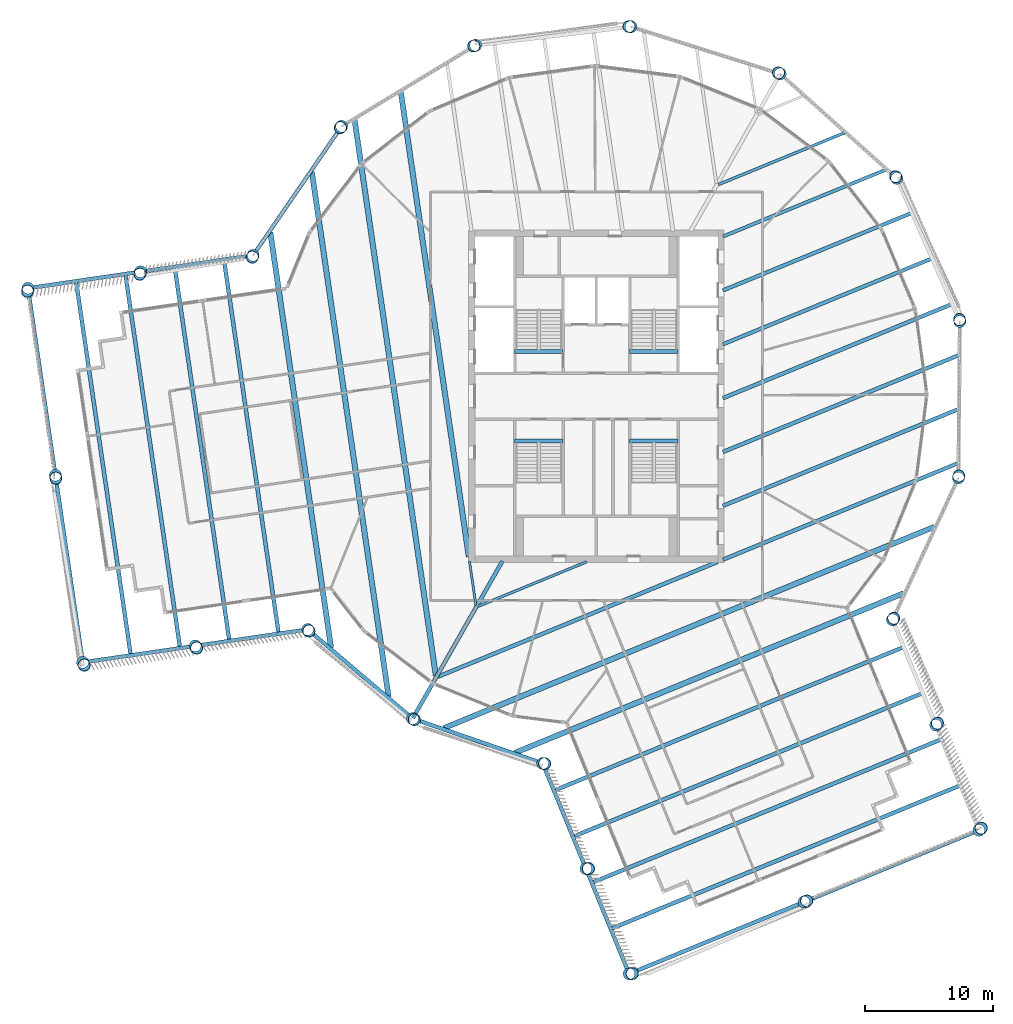
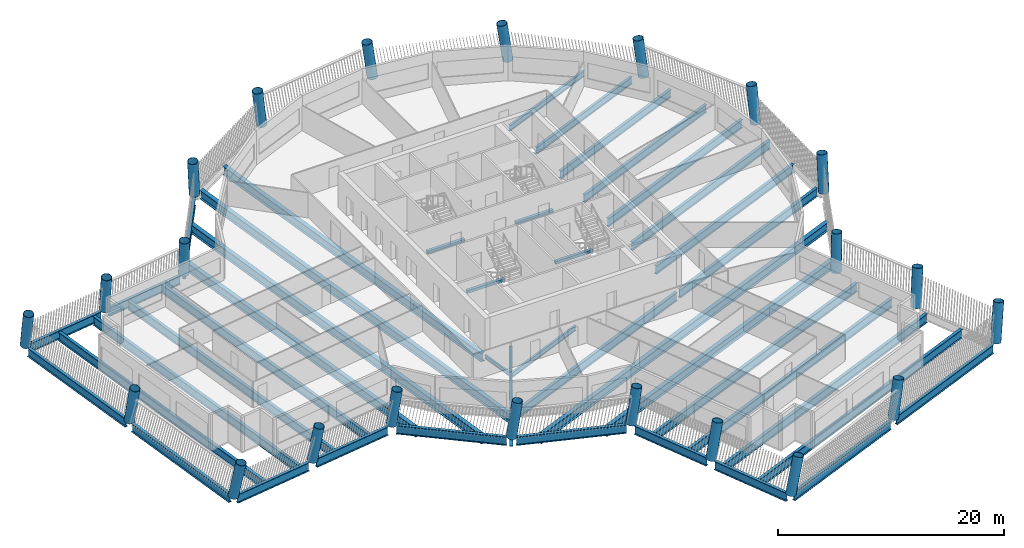
# One storey, part 1 of 15: 43 beams, 22 columns.
"""IFC4 building model written with IfcOpenShell, lengths in metres."""

from ifc_helpers import new_model, si_unit, direction, frame, origin, origin_2d, place, context, subcontext, project, spatial, rectangle, hollow_circle, i_section, extrude, material, material_profile, profile_set, type_object, element, save


model = new_model("IFC4")

# Units and contexts
model_context = context("Model", 3, precision=1e-05, world=origin(), true_north=direction((0.0, 1.0)))
body_context = subcontext(model_context, "Body", "Model", "MODEL_VIEW")
ifc_project = project(units=[si_unit("LENGTHUNIT", "METRE"), si_unit("AREAUNIT", "SQUARE_METRE"), si_unit("VOLUMEUNIT", "CUBIC_METRE"), si_unit("PLANEANGLEUNIT", "RADIAN"), si_unit("MASSUNIT", "GRAM", prefix="KILO")], contexts=[model_context])

# Site, building, storey
site_placement = place(None, origin())
site = spatial("IfcSite", under=ifc_project, at=site_placement, CompositionType="ELEMENT")
building_placement = place(site_placement, origin())
building = spatial("IfcBuilding", under=site, at=building_placement, Name="Tarsis Ring Headquarters", CompositionType="ELEMENT")
storey_placement = place(building_placement, frame((0.0, 0.0, 319.699951171875)))
storey = spatial("IfcBuildingStorey", under=building, at=storey_placement, Name="L75", CompositionType="ELEMENT", Elevation=319.699951171875)

# Columns
ifc_material_1 = material(Name="Structural steel S355", Category="steel")
ifc_material_profile_1 = material_profile(ifc_material_1, hollow_circle(Radius=0.482666015625, WallThickness=0.0400390625, at=origin_2d()), Name="CHS 965x40")
ifc_profile_set_1 = profile_set([ifc_material_profile_1], Name="Structural steel S355")
column_type = type_object("IfcColumnType", Name="XC Exo column CHS 965x40", PredefinedType="COLUMN", material=ifc_profile_set_1)
for number, where, z_axis, x_axis, name in (
    (1, (-14.38330078125, -25.237548828125, 0.001220703125), (0.116944805575, -0.065300390374, 0.990989289279), (0.487530501786, 0.873105955671, 0.0), "Exo column XC7 F1"),
    (2, (-4.1982421875, -28.74365234375, 0.001220703125), (0.132772190404, -0.0181250489, 0.990980841418), (0.135257898313, 0.99081042634, 0.0), "Exo column XC7 AK"),
):
    element("IfcColumn", number, at=place(storey_placement, frame(where, z_axis=z_axis, x_axis=x_axis)), inside=storey, type_object=column_type, Name=name, PredefinedType="COLUMN", context=body_context, shape_type="SweptSolid", body=[
        extrude(hollow_circle(Radius=0.482666015625, WallThickness=0.0400390625, at=origin_2d()), origin(), (0.0, 0.0, 1.0), 3.93310546875),
    ])
column_1_placement = place(storey_placement, frame((-0.817138671875, -36.978759765625, 0.00146484375), z_axis=(0.169592241316, -0.002222541204, 0.985511812205), x_axis=(0.013104080438, 0.999914137852, 0.0)))
element("IfcColumn", 3, at=column_1_placement, inside=storey, type_object=column_type, Name="Exo column XC7 AI1", PredefinedType="COLUMN", context=body_context, shape_type="SweptSolid", body=[
    extrude(hollow_circle(Radius=0.482666015625, WallThickness=0.0400390625, at=origin_2d()), origin(), (0.0, 0.0, 1.0), 3.95458984375),
])
column_2_placement = place(storey_placement, frame((2.563720703125, -45.214111328125, 0.001708984375), z_axis=(0.205803098203, 0.013548550701, 0.978499627769), x_axis=(-0.065690393745, 0.9978400534, 0.0)))
element("IfcColumn", 4, at=column_2_placement, inside=storey, type_object=column_type, Name="Exo column XC7 AT1", PredefinedType="COLUMN", context=body_context, shape_type="SweptSolid", body=[
    extrude(hollow_circle(Radius=0.482666015625, WallThickness=0.0400390625, at=origin_2d()), origin(), (0.0, 0.0, 1.0), 3.982421875),
])
column_3_placement = place(storey_placement, frame((16.2548828125, -39.59326171875, 0.00146484375), z_axis=(0.180013097388, 0.075875827739, 0.980733472221), x_axis=(-0.388408472716, 0.921487307738, 0.0)))
element("IfcColumn", 5, at=column_3_placement, inside=storey, type_object=column_type, Name="Exo column XC7 AT2", PredefinedType="COLUMN", context=body_context, shape_type="SweptSolid", body=[
    extrude(hollow_circle(Radius=0.482666015625, WallThickness=0.0400390625, at=origin_2d()), origin(), (0.0, 0.0, 1.0), 3.973876953125),
])
column_4_placement = place(storey_placement, frame((29.946044921875, -33.972412109375, 0.001708984375), z_axis=(0.153448000874, 0.137815064309, 0.978499217719), x_axis=(-0.668192535733, 0.743988397215, 0.0)))
element("IfcColumn", 6, at=column_4_placement, inside=storey, type_object=column_type, Name="Exo column XC7 AT3", PredefinedType="COLUMN", context=body_context, shape_type="SweptSolid", body=[
    extrude(hollow_circle(Radius=0.482666015625, WallThickness=0.0400390625, at=origin_2d()), origin(), (0.0, 0.0, 1.0), 3.982421875),
])
column_5_placement = place(storey_placement, frame((26.56494140625, -25.737060546875, 0.00146484375), z_axis=(0.116929468211, 0.122917936224, 0.98550427722), x_axis=(-0.724535899673, 0.689237063778, 0.0)))
element("IfcColumn", 7, at=column_5_placement, inside=storey, type_object=column_type, Name="Exo column XC7 AO1", PredefinedType="COLUMN", context=body_context, shape_type="SweptSolid", body=[
    extrude(hollow_circle(Radius=0.482666015625, WallThickness=0.0400390625, at=origin_2d()), origin(), (0.0, 0.0, 1.0), 3.95458984375),
])
for number, where, z_axis, x_axis, name in (
    (8, (23.18408203125, -17.501953125, 0.001220703125), (0.079763029713, 0.107633535816, 0.990985812743), (-0.803434056197, 0.595393749835, 0.0), "Exo column XC7 AJ"),
    (9, (28.3369140625, -6.3896484375, 0.001220703125), (0.028305130881, 0.130911230325, 0.990989944117), (-0.97741416544, 0.211332792528, 0.0), "Exo column XC7 R1"),
    (10, (28.45166015625, 5.858642578125, 0.001220703125), (-0.028242878238, 0.130972468311, 0.990983628711), (-0.977530404122, -0.210794471031, 0.0), "Exo column XC7 R2"),
    (11, (23.50732421875, 17.065185546875, 0.001220703125), (-0.079700819128, 0.107695421486, 0.990984094535), (-0.803819745664, -0.59487294146, 0.0), "Exo column XC7 R3"),
    (12, (14.38330078125, 25.237548828125, 0.001220703125), (-0.116944805575, 0.065300390374, 0.990989289279), (-0.487530501786, -0.873105955671, 0.0), "Exo column XC7 R4"),
    (13, (2.701904296875, 28.922607421875, 0.001220703125), (-0.133456352149, 0.011235162669, 0.990991005605), (-0.083889297463, -0.996475080356, 0.0), "Exo column XC7 R5"),
    (14, (-9.459716796875, 27.465087890625, 0.001220703125), (-0.126316225341, -0.044815879457, 0.990977168336), (0.334370039119, -0.942441869263, 0.0), "Exo column XC7 R6"),
    (15, (-19.939697265625, 21.1240234375, 0.001220703125), (-0.096584987858, -0.092798558385, 0.99098928737), (0.692830819299, -0.721100170454, 0.0), "Exo column XC7 R7"),
    (16, (-26.8740234375, 11.027099609375, 0.001220703125), (-0.049781943299, -0.124392785999, 0.990983447345), (0.928412776476, -0.371550422522, 0.0), "Exo column XC7 BJ"),
):
    element("IfcColumn", number, at=place(storey_placement, frame(where, z_axis=z_axis, x_axis=x_axis)), inside=storey, type_object=column_type, Name=name, PredefinedType="COLUMN", context=body_context, shape_type="SweptSolid", body=[
        extrude(hollow_circle(Radius=0.482666015625, WallThickness=0.0400390625, at=origin_2d()), origin(), (0.0, 0.0, 1.0), 3.93310546875),
    ])
column_6_placement = place(storey_placement, frame((-35.6826171875, 9.739013671875, 0.00146484375), z_axis=(-0.043215448194, -0.164095230429, 0.985497427895), x_axis=(0.967027394039, -0.254672376158, 0.0)))
element("IfcColumn", 17, at=column_6_placement, inside=storey, type_object=column_type, Name="Exo column XC7 BO1", PredefinedType="COLUMN", context=body_context, shape_type="SweptSolid", body=[
    extrude(hollow_circle(Radius=0.482666015625, WallThickness=0.0400390625, at=origin_2d()), origin(), (0.0, 0.0, 1.0), 3.95458984375),
])
column_7_placement = place(storey_placement, frame((-44.4912109375, 8.45068359375, 0.001708984375), z_axis=(-0.036660644054, -0.202982261642, 0.978495885856), x_axis=(0.984078476332, -0.177734499803, 0.0)))
element("IfcColumn", 18, at=column_7_placement, inside=storey, type_object=column_type, Name="Exo column XC7 BT3", PredefinedType="COLUMN", context=body_context, shape_type="SweptSolid", body=[
    extrude(hollow_circle(Radius=0.482666015625, WallThickness=0.0400390625, at=origin_2d()), origin(), (0.0, 0.0, 1.0), 3.982421875),
])
column_8_placement = place(storey_placement, frame((-42.349609375, -6.193603515625, 0.00146484375), z_axis=(0.030043075737, -0.193037513222, 0.980731325129), x_axis=(0.988104790515, 0.153782063196, 0.0)))
element("IfcColumn", 19, at=column_8_placement, inside=storey, type_object=column_type, Name="Exo column XC7 BT2", PredefinedType="COLUMN", context=body_context, shape_type="SweptSolid", body=[
    extrude(hollow_circle(Radius=0.482666015625, WallThickness=0.0400390625, at=origin_2d()), origin(), (0.0, 0.0, 1.0), 3.973876953125),
])
column_9_placement = place(storey_placement, frame((-40.207763671875, -20.837646484375, 0.001708984375), z_axis=(0.096556220306, -0.182261360616, 0.978497671304), x_axis=(0.883657744659, 0.468133517604, 0.0)))
element("IfcColumn", 20, at=column_9_placement, inside=storey, type_object=column_type, Name="Exo column XC7 BT1", PredefinedType="COLUMN", context=body_context, shape_type="SweptSolid", body=[
    extrude(hollow_circle(Radius=0.482666015625, WallThickness=0.0400390625, at=origin_2d()), origin(), (0.0, 0.0, 1.0), 3.982421875),
])
column_10_placement = place(storey_placement, frame((-31.3994140625, -19.549560546875, 0.00146484375), z_axis=(0.091000171693, -0.143167841354, 0.985505929943), x_axis=(0.843946088242, 0.536428000892, 0.0)))
element("IfcColumn", 21, at=column_10_placement, inside=storey, type_object=column_type, Name="Exo column XC7 BI1", PredefinedType="COLUMN", context=body_context, shape_type="SweptSolid", body=[
    extrude(hollow_circle(Radius=0.482666015625, WallThickness=0.0400390625, at=origin_2d()), origin(), (0.0, 0.0, 1.0), 3.95458984375),
])
column_11_placement = place(storey_placement, frame((-22.5908203125, -18.26123046875, 0.001220703125), z_axis=(0.08516333495, -0.103412621011, 0.990985891018), x_axis=(0.771930235617, 0.635707252861, 0.0)))
element("IfcColumn", 22, at=column_11_placement, inside=storey, type_object=column_type, Name="Exo column XC7 BK", PredefinedType="COLUMN", context=body_context, shape_type="SweptSolid", body=[
    extrude(hollow_circle(Radius=0.482666015625, WallThickness=0.0400390625, at=origin_2d()), origin(), (0.0, 0.0, 1.0), 3.93310546875),
])

# Beams
ifc_material_profile_2 = material_profile(ifc_material_1, i_section(OverallWidth=0.177734375, OverallDepth=0.406494140625, WebThickness=0.0078125, FlangeThickness=0.0126953125, at=origin_2d()), Name="W16x40")
ifc_profile_set_2 = profile_set([ifc_material_profile_2], Name="Structural steel S355")
beam_type_1 = type_object("IfcBeamType", Name="FB Floor beam W16x40", PredefinedType="JOIST", material=ifc_profile_set_2)
beam_1_placement = place(storey_placement, frame((-9.937744140625, -12.901123046875, -0.363037109375), z_axis=(0.144685793381, -0.989477650679, 0.0), x_axis=(0.989477650679, 0.144685793381, 0.0)))
element("IfcBeam", 23, at=beam_1_placement, inside=storey, type_object=beam_type_1, Name="Floor beam FB1", PredefinedType="JOIST", context=body_context, shape_type="SweptSolid", body=[
    extrude(i_section(OverallWidth=0.177734375, OverallDepth=0.406494140625, WebThickness=0.0078125, FlangeThickness=0.0126953125, at=origin_2d()), origin(), (0.0, 0.0, 1.0), 3.496337890625),
])
ifc_material_profile_3 = material_profile(ifc_material_1, i_section(OverallWidth=0.209228515625, OverallDepth=0.533447265625, WebThickness=0.01025390625, FlangeThickness=0.015625, at=origin_2d()), Name="W21x62")
ifc_profile_set_3 = profile_set([ifc_material_profile_3], Name="Structural steel S355")
beam_type_2 = type_object("IfcBeamType", Name="FB Floor beam W21x62", PredefinedType="JOIST", material=ifc_profile_set_3)
beam_2_placement = place(storey_placement, frame((-9.26953125, -16.453125, -0.4267578125), z_axis=(0.925071978089, 0.379791831606, 0.0), x_axis=(-0.379791831606, 0.925071978089, 0.0)))
element("IfcBeam", 24, at=beam_2_placement, inside=storey, type_object=beam_type_2, Name="Floor beam FB3", PredefinedType="JOIST", context=body_context, shape_type="SweptSolid", body=[
    extrude(i_section(OverallWidth=0.209228515625, OverallDepth=0.533447265625, WebThickness=0.01025390625, FlangeThickness=0.015625, at=origin_2d()), origin(), (0.0, 0.0, 1.0), 9.1923828125),
])
ifc_material_profile_4 = material_profile(ifc_material_1, i_section(OverallWidth=0.228271484375, OverallDepth=0.607177734375, WebThickness=0.01123046875, FlangeThickness=0.017333984375, at=origin_2d()), Name="W24x76")
ifc_profile_set_4 = profile_set([ifc_material_profile_4], Name="Structural steel S355")
beam_type_3 = type_object("IfcBeamType", Name="FB Floor beam W24x76", PredefinedType="JOIST", material=ifc_profile_set_4)
beam_3_placement = place(storey_placement, frame((9.55029296875, 16.568359375, -0.463623046875), z_axis=(0.925074155901, 0.379786526991, 0.0), x_axis=(-0.379786526991, 0.925074155901, 0.0)))
element("IfcBeam", 25, at=beam_3_placement, inside=storey, type_object=beam_type_3, Name="Floor beam FB4", PredefinedType="JOIST", context=body_context, shape_type="SweptSolid", body=[
    extrude(i_section(OverallWidth=0.228271484375, OverallDepth=0.607177734375, WebThickness=0.01123046875, FlangeThickness=0.017333984375, at=origin_2d()), origin(), (0.0, 0.0, 1.0), 10.6845703125),
])
ifc_material_profile_5 = material_profile(ifc_material_1, i_section(OverallWidth=0.2666015625, OverallDepth=0.7568359375, WebThickness=0.013916015625, FlangeThickness=0.019287109375, at=origin_2d()), Name="W30x108")
ifc_profile_set_5 = profile_set([ifc_material_profile_5], Name="Structural steel S355")
beam_type_4 = type_object("IfcBeamType", Name="FB Floor beam W30x108", PredefinedType="JOIST", material=ifc_profile_set_5)
beam_4_placement = place(storey_placement, frame((9.907470703125, 12.4990234375, -0.538330078125), z_axis=(0.925072926875, 0.379789520608, 0.0), x_axis=(-0.379789520608, 0.925072926875, 0.0)))
element("IfcBeam", 26, at=beam_4_placement, inside=storey, type_object=beam_type_4, Name="Floor beam FB6", PredefinedType="JOIST", context=body_context, shape_type="SweptSolid", body=[
    extrude(i_section(OverallWidth=0.2666015625, OverallDepth=0.7568359375, WebThickness=0.013916015625, FlangeThickness=0.019287109375, at=origin_2d()), origin(), (0.0, 0.0, 1.0), 13.787353515625),
])
ifc_material_profile_6 = material_profile(ifc_material_1, i_section(OverallWidth=0.2919921875, OverallDepth=0.835693359375, WebThickness=0.013916015625, FlangeThickness=0.018798828125, at=origin_2d()), Name="W33x118")
ifc_profile_set_6 = profile_set([ifc_material_profile_6], Name="Structural steel S355")
beam_type_5 = type_object("IfcBeamType", Name="FB Floor beam W33x118", PredefinedType="JOIST", material=ifc_profile_set_6)
beam_5_placement = place(storey_placement, frame((9.907470703125, 8.283203125, -0.577880859375), z_axis=(0.925076044311, 0.379781927218, 0.0), x_axis=(-0.379781927218, 0.925076044311, 0.0)))
element("IfcBeam", 27, at=beam_5_placement, inside=storey, type_object=beam_type_5, Name="Floor beam FB7", PredefinedType="JOIST", context=body_context, shape_type="SweptSolid", body=[
    extrude(i_section(OverallWidth=0.2919921875, OverallDepth=0.835693359375, WebThickness=0.013916015625, FlangeThickness=0.018798828125, at=origin_2d()), origin(), (0.0, 0.0, 1.0), 15.93798828125),
])
beam_6_placement = place(storey_placement, frame((9.907470703125, 4.0673828125, -0.577880859375), z_axis=(0.925076002605, 0.379782028807, 0.0), x_axis=(-0.379782028807, 0.925076002605, 0.0)))
element("IfcBeam", 28, at=beam_6_placement, inside=storey, type_object=beam_type_5, Name="Floor beam FB7", PredefinedType="JOIST", context=body_context, shape_type="SweptSolid", body=[
    extrude(i_section(OverallWidth=0.2919921875, OverallDepth=0.835693359375, WebThickness=0.013916015625, FlangeThickness=0.018798828125, at=origin_2d()), origin(), (0.0, 0.0, 1.0), 17.640380859375),
])
ifc_material_profile_7 = material_profile(ifc_material_1, i_section(OverallWidth=0.3046875, OverallDepth=0.904296875, WebThickness=0.01513671875, FlangeThickness=0.02001953125, at=origin_2d()), Name="W36x135")
ifc_profile_set_7 = profile_set([ifc_material_profile_7], Name="Structural steel S355")
beam_type_6 = type_object("IfcBeamType", Name="FB Floor beam W36x135", PredefinedType="JOIST", material=ifc_profile_set_7)
beam_7_placement = place(storey_placement, frame((9.907470703125, -0.1484375, -0.612060546875), z_axis=(0.925075968239, 0.379782112515, 0.0), x_axis=(-0.379782112515, 0.925075968239, 0.0)))
element("IfcBeam", 29, at=beam_7_placement, inside=storey, type_object=beam_type_6, Name="Floor beam FB8", PredefinedType="JOIST", context=body_context, shape_type="SweptSolid", body=[
    extrude(i_section(OverallWidth=0.3046875, OverallDepth=0.904296875, WebThickness=0.01513671875, FlangeThickness=0.02001953125, at=origin_2d()), origin(), (0.0, 0.0, 1.0), 19.342529296875),
])
beam_8_placement = place(storey_placement, frame((9.907470703125, -4.3642578125, -0.612060546875), z_axis=(0.925076481263, 0.379780862886, 0.0), x_axis=(-0.379780862886, 0.925076481263, 0.0)))
element("IfcBeam", 30, at=beam_8_placement, inside=storey, type_object=beam_type_6, Name="Floor beam FB8", PredefinedType="JOIST", context=body_context, shape_type="SweptSolid", body=[
    extrude(i_section(OverallWidth=0.3046875, OverallDepth=0.904296875, WebThickness=0.01513671875, FlangeThickness=0.02001953125, at=origin_2d()), origin(), (0.0, 0.0, 1.0), 19.951416015625),
])
beam_9_placement = place(storey_placement, frame((9.907470703125, -8.580078125, -0.612060546875), z_axis=(0.925078603222, 0.379775694141, 0.0), x_axis=(-0.379775694141, 0.925078603222, 0.0)))
element("IfcBeam", 31, at=beam_9_placement, inside=storey, type_object=beam_type_6, Name="Floor beam FB8", PredefinedType="JOIST", context=body_context, shape_type="SweptSolid", body=[
    extrude(i_section(OverallWidth=0.3046875, OverallDepth=0.904296875, WebThickness=0.01513671875, FlangeThickness=0.02001953125, at=origin_2d()), origin(), (0.0, 0.0, 1.0), 19.90869140625),
])
beam_10_placement = place(storey_placement, frame((9.907470703125, -12.796142578125, -0.612060546875), z_axis=(0.925076416725, 0.379781020087, 0.0), x_axis=(-0.379781020087, 0.925076416725, 0.0)))
element("IfcBeam", 32, at=beam_10_placement, inside=storey, type_object=beam_type_6, Name="Floor beam FB8", PredefinedType="JOIST", context=body_context, shape_type="SweptSolid", body=[
    extrude(i_section(OverallWidth=0.3046875, OverallDepth=0.904296875, WebThickness=0.01513671875, FlangeThickness=0.02001953125, at=origin_2d()), origin(), (0.0, 0.0, 1.0), 19.865966796875),
])
ifc_material_profile_8 = material_profile(ifc_material_1, i_section(OverallWidth=0.3046875, OverallDepth=0.91943359375, WebThickness=0.017333984375, FlangeThickness=0.02783203125, at=origin_2d()), Name="W36x170")
ifc_profile_set_8 = profile_set([ifc_material_profile_8], Name="Structural steel S355")
beam_type_7 = type_object("IfcBeamType", Name="FB Floor beam W36x170", PredefinedType="JOIST", material=ifc_profile_set_8)
beam_11_placement = place(storey_placement, frame((-12.40625, -21.956787109375, -0.61962890625), z_axis=(0.925073825452, 0.37978733189, 0.0), x_axis=(-0.37978733189, 0.925073825452, 0.0)))
element("IfcBeam", 33, at=beam_11_placement, inside=storey, type_object=beam_type_7, Name="Floor beam FB9", PredefinedType="JOIST", context=body_context, shape_type="SweptSolid", body=[
    extrude(i_section(OverallWidth=0.3046875, OverallDepth=0.91943359375, WebThickness=0.017333984375, FlangeThickness=0.02783203125, at=origin_2d()), origin(), (0.0, 0.0, 1.0), 23.68408203125),
])
ifc_material_profile_9 = material_profile(ifc_material_1, i_section(OverallWidth=0.309814453125, OverallDepth=0.949951171875, WebThickness=0.0244140625, FlangeThickness=0.0439453125, at=origin_2d()), Name="W36x256")
ifc_profile_set_9 = profile_set([ifc_material_profile_9], Name="Structural steel S355")
beam_type_8 = type_object("IfcBeamType", Name="FB Floor beam W36x256", PredefinedType="JOIST", material=ifc_profile_set_9)
for number, where, z_axis, x_axis, name in (
    (34, (-3.2724609375, -30.8544921875, -0.635009765625), (0.925078099452, 0.37977692125, 0.0), (-0.37977692125, 0.925078099452, 0.0), "Floor beam FB11"),
    (35, (-1.791259765625, -34.462158203125, -0.635009765625), (0.925078099452, 0.37977692125, 0.0), (-0.37977692125, 0.925078099452, 0.0), "Floor beam FB11"),
):
    element("IfcBeam", number, at=place(storey_placement, frame(where, z_axis=z_axis, x_axis=x_axis)), inside=storey, type_object=beam_type_8, Name=name, PredefinedType="JOIST", context=body_context, shape_type="SweptSolid", body=[
        extrude(i_section(OverallWidth=0.309814453125, OverallDepth=0.949951171875, WebThickness=0.0244140625, FlangeThickness=0.0439453125, at=origin_2d()), origin(), (0.0, 0.0, 1.0), 29.490234375),
    ])
for number, where, z_axis, x_axis, name in (
    (36, (-0.31005859375, -38.070068359375, -0.635009765625), (0.925076905398, 0.379779829769, 0.0), (-0.379779829769, 0.925076905398, 0.0), "Floor beam FB11"),
    (37, (1.171142578125, -41.677978515625, -0.635009765625), (0.92507399684, 0.379786914427, 0.0), (-0.379786914427, 0.92507399684, 0.0), "Floor beam FB11"),
    (38, (-29.146240234375, 10.639404296875, -0.635009765625), (0.144695986668, -0.989476160118, 0.0), (0.989476160118, 0.144695986668, 0.0), "Floor beam FB11"),
    (39, (-33.00537109375, 10.0751953125, -0.635009765625), (0.144704092071, -0.989474974791, 0.0), (0.989474974791, 0.144704092071, 0.0), "Floor beam FB11"),
    (40, (-36.8642578125, 9.5107421875, -0.635009765625), (0.144704092071, -0.989474974791, 0.0), (0.989474974791, 0.144704092071, 0.0), "Floor beam FB11"),
    (41, (-40.72314453125, 8.946533203125, -0.635009765625), (0.144704092071, -0.989474974791, 0.0), (0.989474974791, 0.144704092071, 0.0), "Floor beam FB11"),
):
    element("IfcBeam", number, at=place(storey_placement, frame(where, z_axis=z_axis, x_axis=x_axis)), inside=storey, type_object=beam_type_8, Name=name, PredefinedType="JOIST", context=body_context, shape_type="SweptSolid", body=[
        extrude(i_section(OverallWidth=0.309814453125, OverallDepth=0.949951171875, WebThickness=0.0244140625, FlangeThickness=0.0439453125, at=origin_2d()), origin(), (0.0, 0.0, 1.0), 29.489990234375),
    ])
beam_type_9 = type_object("IfcBeamType", Name="FB Floor beam W36x256 spine", PredefinedType="BEAM", material=ifc_profile_set_9)
beam_12_placement = place(storey_placement, frame((-7.359619140625, -12.9130859375, -0.635009765625), z_axis=(-0.495154130881, -0.868805148852, 0.0), x_axis=(0.868805148852, -0.495154130881, 0.0)))
element("IfcBeam", 42, at=beam_12_placement, inside=storey, type_object=beam_type_9, Name="Floor beam SB11", PredefinedType="BEAM", context=body_context, shape_type="SweptSolid", body=[
    extrude(i_section(OverallWidth=0.309814453125, OverallDepth=0.949951171875, WebThickness=0.0244140625, FlangeThickness=0.0439453125, at=origin_2d()), origin(), (0.0, 0.0, 1.0), 14.127685546875),
])
ifc_material_profile_10 = material_profile(ifc_material_1, i_section(OverallWidth=0.42431640625, OverallDepth=0.947509765625, WebThickness=0.02392578125, FlangeThickness=0.042724609375, at=origin_2d()), Name="W36x302")
ifc_profile_set_10 = profile_set([ifc_material_profile_10], Name="Structural steel S355")
beam_type_10 = type_object("IfcBeamType", Name="FB Floor beam W36x302", PredefinedType="JOIST", material=ifc_profile_set_10)
beam_13_placement = place(storey_placement, frame((-11.944580078125, -25.98291015625, -0.633544921875), z_axis=(0.925077589358, 0.379778163758, 0.0), x_axis=(-0.379778163758, 0.925077589358, 0.0)))
element("IfcBeam", 43, at=beam_13_placement, inside=storey, type_object=beam_type_10, Name="Floor beam FB12", PredefinedType="JOIST", context=body_context, shape_type="SweptSolid", body=[
    extrude(i_section(OverallWidth=0.42431640625, OverallDepth=0.947509765625, WebThickness=0.02392578125, FlangeThickness=0.042724609375, at=origin_2d()), origin(), (0.0, 0.0, 1.0), 41.523681640625),
])
beam_14_placement = place(storey_placement, frame((-6.35888671875, -27.90576171875, -0.633544921875), z_axis=(0.925077922611, 0.379777352008, 0.0), x_axis=(-0.379777352008, 0.925077922611, 0.0)))
element("IfcBeam", 44, at=beam_14_placement, inside=storey, type_object=beam_type_10, Name="Floor beam FB12", PredefinedType="JOIST", context=body_context, shape_type="SweptSolid", body=[
    extrude(i_section(OverallWidth=0.42431640625, OverallDepth=0.947509765625, WebThickness=0.02392578125, FlangeThickness=0.042724609375, at=origin_2d()), origin(), (0.0, 0.0, 1.0), 32.87548828125),
])
beam_15_placement = place(storey_placement, frame((-15.312255859375, 23.8505859375, -0.633544921875), z_axis=(0.144696242872, -0.989476122652, 0.0), x_axis=(0.989476122652, 0.144696242872, 0.0)))
element("IfcBeam", 45, at=beam_15_placement, inside=storey, type_object=beam_type_10, Name="Floor beam FB12", PredefinedType="JOIST", context=body_context, shape_type="SweptSolid", body=[
    extrude(i_section(OverallWidth=0.42431640625, OverallDepth=0.947509765625, WebThickness=0.02392578125, FlangeThickness=0.042724609375, at=origin_2d()), origin(), (0.0, 0.0, 1.0), 36.812744140625),
])
beam_16_placement = place(storey_placement, frame((-18.933349609375, 21.659423828125, -0.633544921875), z_axis=(0.14469739185, -0.98947595463, 0.0), x_axis=(0.98947595463, 0.14469739185, 0.0)))
element("IfcBeam", 46, at=beam_16_placement, inside=storey, type_object=beam_type_10, Name="Floor beam FB12", PredefinedType="JOIST", context=body_context, shape_type="SweptSolid", body=[
    extrude(i_section(OverallWidth=0.42431640625, OverallDepth=0.947509765625, WebThickness=0.02392578125, FlangeThickness=0.042724609375, at=origin_2d()), origin(), (0.0, 0.0, 1.0), 43.986572265625),
])
beam_17_placement = place(storey_placement, frame((-22.276611328125, 17.56787109375, -0.633544921875), z_axis=(0.144700761718, -0.989475461827, 0.0), x_axis=(0.989475461827, 0.144700761718, 0.0)))
element("IfcBeam", 47, at=beam_17_placement, inside=storey, type_object=beam_type_10, Name="Floor beam FB12", PredefinedType="JOIST", context=body_context, shape_type="SweptSolid", body=[
    extrude(i_section(OverallWidth=0.42431640625, OverallDepth=0.947509765625, WebThickness=0.02392578125, FlangeThickness=0.042724609375, at=origin_2d()), origin(), (0.0, 0.0, 1.0), 41.52392578125),
])
beam_18_placement = place(storey_placement, frame((-25.526123046875, 12.83642578125, -0.633544921875), z_axis=(0.144699697585, -0.989475617445, 0.0), x_axis=(0.989475617445, 0.144699697585, 0.0)))
element("IfcBeam", 48, at=beam_18_placement, inside=storey, type_object=beam_type_10, Name="Floor beam FB12", PredefinedType="JOIST", context=body_context, shape_type="SweptSolid", body=[
    extrude(i_section(OverallWidth=0.42431640625, OverallDepth=0.947509765625, WebThickness=0.02392578125, FlangeThickness=0.042724609375, at=origin_2d()), origin(), (0.0, 0.0, 1.0), 32.87548828125),
])
ifc_material_2 = material(Name="Concrete C40/50", Category="concrete")
ifc_material_profile_11 = material_profile(ifc_material_2, rectangle(XDim=0.300048828125, YDim=0.300048828125, at=origin_2d()), Name="Stair head beam 300x300 C40/50")
ifc_profile_set_11 = profile_set([ifc_material_profile_11], Name="Concrete C40/50")
beam_type_11 = type_object("IfcBeamType", Name="Stair head beam 300x300 C40/50", PredefinedType="BEAM", material=ifc_profile_set_11)
for number, where, z_axis, x_axis, name in (
    (49, (-6.39990234375, 3.510009765625, -0.31005859375), (1.0, 0.0, 0.0), (0.0, 1.0, 0.0), "Stair head beam L75 Firefighting stair"),
    (50, (2.60009765625, 3.510009765625, -0.31005859375), (1.0, 0.0, 0.0), (0.0, 1.0, 0.0), "Stair head beam L75 Exit stair B"),
    (51, (-6.39990234375, -3.510009765625, -0.31005859375), (1.0, 0.0, 0.0), (0.0, 1.0, 0.0), "Stair head beam L75 Exit stair C"),
    (52, (2.60009765625, -3.510009765625, -0.31005859375), (1.0, 0.0, 0.0), (0.0, 1.0, 0.0), "Stair head beam L75 Exit stair D"),
):
    element("IfcBeam", number, at=place(storey_placement, frame(where, z_axis=z_axis, x_axis=x_axis)), inside=storey, type_object=beam_type_11, Name=name, PredefinedType="BEAM", context=body_context, shape_type="SweptSolid", body=[
        extrude(rectangle(XDim=0.300048828125, YDim=0.300048828125, at=origin_2d()), origin(), (0.0, 0.0, 1.0), 3.7998046875),
    ])
ifc_material_profile_12 = material_profile(ifc_material_1, i_section(OverallWidth=0.309814453125, OverallDepth=0.93212890625, WebThickness=0.02099609375, FlangeThickness=0.034423828125, at=origin_2d()), Name="W36x210")
ifc_profile_set_12 = profile_set([ifc_material_profile_12], Name="Structural steel S355")
beam_type_12 = type_object("IfcBeamType", Name="XG Ring girder W36x210", PredefinedType="BEAM", material=ifc_profile_set_12)
beam_19_placement = place(storey_placement, frame((-13.972900390625, -25.37890625, -0.466064453125), z_axis=(0.945551516882, -0.3254724703, 0.0), x_axis=(0.3254724703, 0.945551516882, 0.0)))
element("IfcBeam", 53, at=beam_19_placement, inside=storey, type_object=beam_type_12, Name="Ring girder XG3", PredefinedType="BEAM", context=body_context, shape_type="SweptSolid", body=[
    extrude(i_section(OverallWidth=0.309814453125, OverallDepth=0.93212890625, WebThickness=0.02099609375, FlangeThickness=0.034423828125, at=origin_2d()), origin(), (0.0, 0.0, 1.0), 9.903076171875),
])
for number, where, z_axis, x_axis, name in (
    (54, (-4.033447265625, -29.145263671875, -0.466064453125), (0.379785116969, -0.92507473478, 0.0), (0.92507473478, 0.379785116969, 0.0), "Ring girder XG3"),
    (55, (-0.652587890625, -37.380615234375, -0.466064453125), (0.379785116969, -0.92507473478, 0.0), (0.92507473478, 0.379785116969, 0.0), "Ring girder XG3"),
):
    element("IfcBeam", number, at=place(storey_placement, frame(where, z_axis=z_axis, x_axis=x_axis)), inside=storey, type_object=beam_type_12, Name=name, PredefinedType="BEAM", context=body_context, shape_type="SweptSolid", body=[
        extrude(i_section(OverallWidth=0.309814453125, OverallDepth=0.93212890625, WebThickness=0.02099609375, FlangeThickness=0.034423828125, at=origin_2d()), origin(), (0.0, 0.0, 1.0), 8.033447265625),
    ])
beam_20_placement = place(storey_placement, frame((2.965087890625, -45.049072265625, -0.466064453125), z_axis=(0.925080073596, 0.379772112505, 0.0), x_axis=(-0.379772112505, 0.925080073596, 0.0)))
element("IfcBeam", 56, at=beam_20_placement, inside=storey, type_object=beam_type_12, Name="Ring girder XG3", PredefinedType="BEAM", context=body_context, shape_type="SweptSolid", body=[
    extrude(i_section(OverallWidth=0.309814453125, OverallDepth=0.93212890625, WebThickness=0.02099609375, FlangeThickness=0.034423828125, at=origin_2d()), origin(), (0.0, 0.0, 1.0), 13.931396484375),
])
beam_21_placement = place(storey_placement, frame((16.65625, -39.428466796875, -0.466064453125), z_axis=(0.925073916836, 0.379787109299, 0.0), x_axis=(-0.379787109299, 0.925073916836, 0.0)))
element("IfcBeam", 57, at=beam_21_placement, inside=storey, type_object=beam_type_12, Name="Ring girder XG3", PredefinedType="BEAM", context=body_context, shape_type="SweptSolid", body=[
    extrude(i_section(OverallWidth=0.309814453125, OverallDepth=0.93212890625, WebThickness=0.02099609375, FlangeThickness=0.034423828125, at=origin_2d()), origin(), (0.0, 0.0, 1.0), 13.931640625),
])
beam_22_placement = place(storey_placement, frame((-20.185302734375, 20.76611328125, -0.466064453125), z_axis=(-0.566142721858, -0.824307235494, 0.0), x_axis=(0.824307235494, -0.566142721858, 0.0)))
element("IfcBeam", 58, at=beam_22_placement, inside=storey, type_object=beam_type_12, Name="Ring girder XG3", PredefinedType="BEAM", context=body_context, shape_type="SweptSolid", body=[
    extrude(i_section(OverallWidth=0.309814453125, OverallDepth=0.93212890625, WebThickness=0.02099609375, FlangeThickness=0.034423828125, at=origin_2d()), origin(), (0.0, 0.0, 1.0), 11.38037109375),
])
beam_23_placement = place(storey_placement, frame((-27.3037109375, 10.964599609375, -0.466064453125), z_axis=(-0.989473591344, -0.144713551658, 0.0), x_axis=(0.144713551658, -0.989473591344, 0.0)))
element("IfcBeam", 59, at=beam_23_placement, inside=storey, type_object=beam_type_12, Name="Ring girder XG3", PredefinedType="BEAM", context=body_context, shape_type="SweptSolid", body=[
    extrude(i_section(OverallWidth=0.309814453125, OverallDepth=0.93212890625, WebThickness=0.02099609375, FlangeThickness=0.034423828125, at=origin_2d()), origin(), (0.0, 0.0, 1.0), 8.03369140625),
])
beam_24_placement = place(storey_placement, frame((-36.1123046875, 9.67626953125, -0.466064453125), z_axis=(-0.989477306176, -0.144688149351, 0.0), x_axis=(0.144688149351, -0.989477306176, 0.0)))
element("IfcBeam", 60, at=beam_24_placement, inside=storey, type_object=beam_type_12, Name="Ring girder XG3", PredefinedType="BEAM", context=body_context, shape_type="SweptSolid", body=[
    extrude(i_section(OverallWidth=0.309814453125, OverallDepth=0.93212890625, WebThickness=0.02099609375, FlangeThickness=0.034423828125, at=origin_2d()), origin(), (0.0, 0.0, 1.0), 8.033447265625),
])
for number, where, z_axis, x_axis, name in (
    (61, (-44.42822265625, 8.021240234375, -0.466064453125), (0.144700839405, -0.989475450466, 0.0), (0.989475450466, 0.144700839405, 0.0), "Ring girder XG3"),
    (62, (-42.28662109375, -6.623046875, -0.466064453125), (0.144700839405, -0.989475450466, 0.0), (0.989475450466, 0.144700839405, 0.0), "Ring girder XG3"),
):
    element("IfcBeam", number, at=place(storey_placement, frame(where, z_axis=z_axis, x_axis=x_axis)), inside=storey, type_object=beam_type_12, Name=name, PredefinedType="BEAM", context=body_context, shape_type="SweptSolid", body=[
        extrude(i_section(OverallWidth=0.309814453125, OverallDepth=0.93212890625, WebThickness=0.02099609375, FlangeThickness=0.034423828125, at=origin_2d()), origin(), (0.0, 0.0, 1.0), 13.931396484375),
    ])
for number, where, z_axis, x_axis, name in (
    (63, (-39.778076171875, -20.774658203125, -0.466064453125), (0.989472954903, 0.144717903229, 0.0), (-0.144717903229, 0.989472954903, 0.0), "Ring girder XG3"),
    (64, (-30.9697265625, -19.486328125, -0.466064453125), (0.989477306176, 0.144688149351, 0.0), (-0.144688149351, 0.989477306176, 0.0), "Ring girder XG3"),
):
    element("IfcBeam", number, at=place(storey_placement, frame(where, z_axis=z_axis, x_axis=x_axis)), inside=storey, type_object=beam_type_12, Name=name, PredefinedType="BEAM", context=body_context, shape_type="SweptSolid", body=[
        extrude(i_section(OverallWidth=0.309814453125, OverallDepth=0.93212890625, WebThickness=0.02099609375, FlangeThickness=0.034423828125, at=origin_2d()), origin(), (0.0, 0.0, 1.0), 8.033447265625),
    ])
beam_25_placement = place(storey_placement, frame((-22.260009765625, -18.54248046875, -0.466064453125), z_axis=(0.761950874859, -0.647634823262, 0.0), x_axis=(0.647634823262, 0.761950874859, 0.0)))
element("IfcBeam", 65, at=beam_25_placement, inside=storey, type_object=beam_type_12, Name="Ring girder XG3", PredefinedType="BEAM", context=body_context, shape_type="SweptSolid", body=[
    extrude(i_section(OverallWidth=0.309814453125, OverallDepth=0.93212890625, WebThickness=0.02099609375, FlangeThickness=0.034423828125, at=origin_2d()), origin(), (0.0, 0.0, 1.0), 9.903076171875),
])

save(model, "model.ifc")
